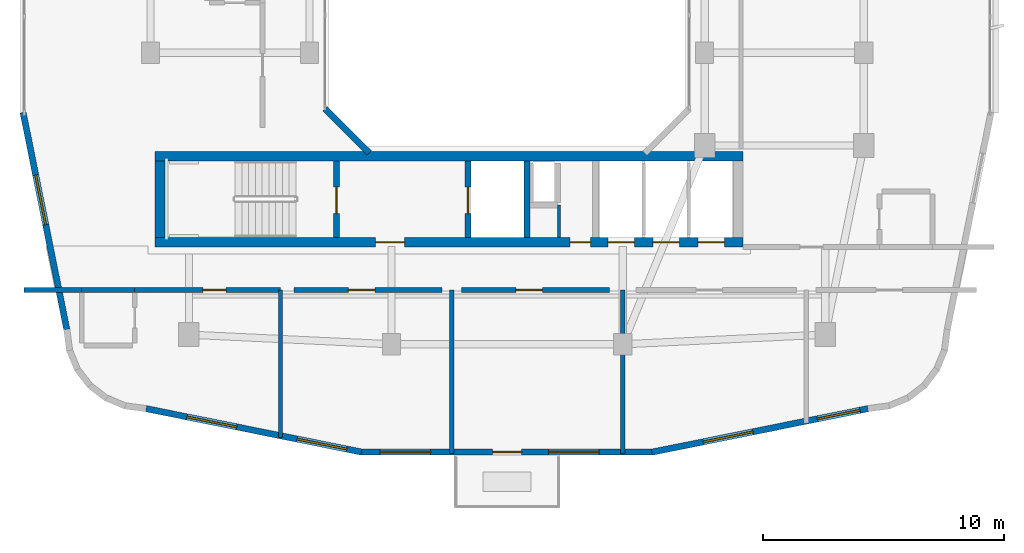
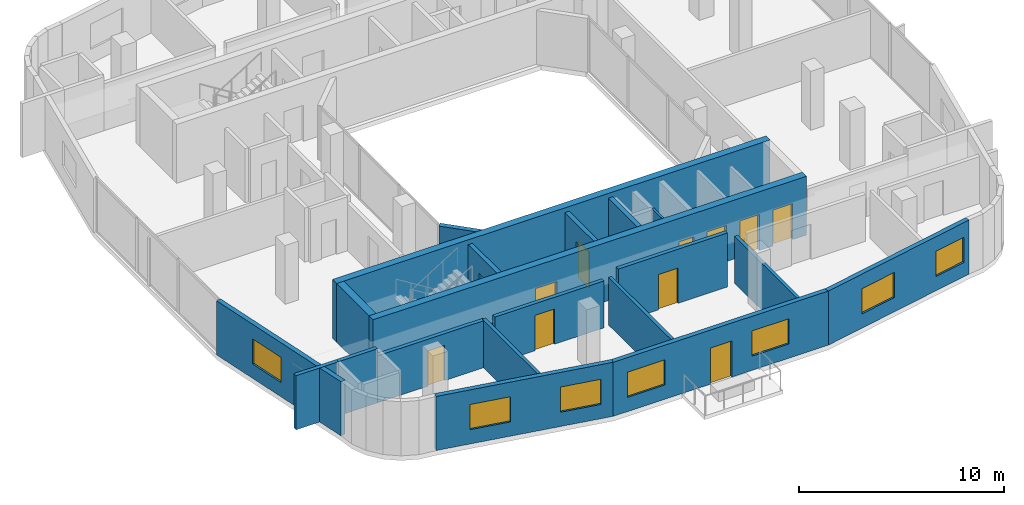
# One storey, part 5 of 12: 20 walls, 11 doors, 7 windows, 18 openings.
"""IFC4 building model written with IfcOpenShell, lengths in metres."""

from ifc_helpers import new_model, si_unit, derived_unit, direction, frame, frame_2d, origin, place, context, subcontext, project, spatial, rectangle, extrude, material, layer, layer_set, type_object, element, fill, save


model = new_model("IFC4")

# Units and contexts
model_context = context("Model", 3, precision=1e-05, world=origin(), true_north=direction((0.0, 1.0)))
body_context = subcontext(model_context, "Body", "Model", "MODEL_VIEW")
ifc_project = project(units=[si_unit("LENGTHUNIT", "METRE"), si_unit("AREAUNIT", "SQUARE_METRE"), si_unit("VOLUMEUNIT", "CUBIC_METRE"), si_unit("PLANEANGLEUNIT", "RADIAN"), si_unit("MASSUNIT", "GRAM", prefix="KILO"), derived_unit("THERMALTRANSMITTANCEUNIT", [(si_unit("POWERUNIT", "WATT"), 1), (si_unit("LENGTHUNIT", "METRE"), -2), (si_unit("THERMODYNAMICTEMPERATUREUNIT", "KELVIN"), -1)])], contexts=[model_context])

# Site, building, storey
site_placement = place(None, origin())
site = spatial("IfcSite", under=ifc_project, at=site_placement, CompositionType="ELEMENT")
building_placement = place(site_placement, origin())
building = spatial("IfcBuilding", under=site, at=building_placement, Name="Kivonza Crest Hotel", CompositionType="ELEMENT")
storey_placement = place(building_placement, frame((0.0, 0.0, 166.0)))
storey = spatial("IfcBuildingStorey", under=building, at=storey_placement, Name="L45", CompositionType="ELEMENT", Elevation=166.0)

# Walls
ifc_material_1 = material(Name="High-density acoustic masonry inter-tenancy wall", Category="masonry")
ifc_layer_1 = layer(ifc_material_1, 0.179931640625)
ifc_layer_set_1 = layer_set([ifc_layer_1], Name="High-density acoustic masonry inter-tenancy wall")
wall_type_1 = type_object("IfcWallType", Name="WL-ACOU-180", PredefinedType="SOLIDWALL", material=ifc_layer_set_1)
wall_1_placement = place(storey_placement, frame((11.60009765625, 5.533935546875, 0.0), z_axis=(0.0, 0.0, 1.0), x_axis=(0.0, 1.0, 0.0)))
element("IfcWall", 1, at=wall_1_placement, inside=storey, type_object=wall_type_1, Name="L45 interior partition WA-L45-T1S-DIV1", PredefinedType="SOLIDWALL", context=body_context, shape_type="SweptSolid", body=[
    extrude(rectangle(XDim=6.115966796875, YDim=0.179931640625, at=frame_2d((3.05810546875, 0.0))), origin(), (0.0, 0.0, 1.0), 2.8349609375),
])
wall_2_placement = place(storey_placement, frame((18.699951171875, 4.860107421875, 0.0), z_axis=(0.0, 0.0, 1.0), x_axis=(0.0, 1.0, 0.0)))
element("IfcWall", 2, at=wall_2_placement, inside=storey, type_object=wall_type_1, Name="L45 interior partition WA-L45-T1S-SPDIV1", PredefinedType="SOLIDWALL", context=body_context, shape_type="SweptSolid", body=[
    extrude(rectangle(XDim=6.789794921875, YDim=0.179931640625, at=frame_2d((3.39501953125, 0.0))), origin(), (0.0, 0.0, 1.0), 2.8349609375),
])
wall_3_placement = place(storey_placement, frame((25.800048828125, 4.860107421875, 0.0), z_axis=(0.0, 0.0, 1.0), x_axis=(0.0, 1.0, 0.0)))
element("IfcWall", 3, at=wall_3_placement, inside=storey, type_object=wall_type_1, Name="L45 interior partition WA-L45-T1S-DIV2", PredefinedType="SOLIDWALL", context=body_context, shape_type="SweptSolid", body=[
    extrude(rectangle(XDim=6.789794921875, YDim=0.179931640625, at=frame_2d((3.39501953125, 0.0))), origin(), (0.0, 0.0, 1.0), 2.794921875),
])
ifc_material_2 = material(Name="Autoclaved aerated concrete blockwork", Category="masonry")
ifc_layer_2 = layer(ifc_material_2, 0.219970703125)
ifc_layer_set_2 = layer_set([ifc_layer_2], Name="Autoclaved aerated concrete blockwork")
wall_type_2 = type_object("IfcWallType", Name="WL-ACOU-220", PredefinedType="SOLIDWALL", material=ifc_layer_set_2)
wall_4_placement = place(storey_placement, frame((0.9599609375, 11.64990234375, 0.0), z_axis=(0.0, 0.0, 1.0), x_axis=(1.0, 0.0, 0.0)))
element("IfcWall", 4, at=wall_4_placement, inside=storey, type_object=wall_type_2, Name="L45 interior partition WA-L45-S02-XCORR", PredefinedType="SOLIDWALL", context=body_context, shape_type="SweptSolid", body=[
    extrude(rectangle(XDim=2.39013671875, YDim=0.219970703125, at=frame_2d((1.195068359375, 0.0))), origin(), (0.0, 0.0, 1.0), 3.219970703125),
])
wall_5_placement = place(storey_placement, frame((3.35009765625, 11.64990234375, 0.0), z_axis=(0.0, 0.0, 1.0), x_axis=(1.0, 0.0, 0.0)))
element("IfcWall", 5, at=wall_5_placement, inside=storey, type_object=wall_type_2, Name="L45 interior partition WA-L45-S02-BCORR", PredefinedType="SOLIDWALL", context=body_context, shape_type="SweptSolid", body=[
    extrude(rectangle(XDim=2.199951171875, YDim=0.219970703125, at=frame_2d((1.10009765625, 0.0))), origin(), (0.0, 0.0, 1.0), 3.219970703125),
])

# Wall, opening, door
wall_6_placement = place(storey_placement, frame((5.550048828125, 11.64990234375, 0.0), z_axis=(0.0, 0.0, 1.0), x_axis=(1.0, 0.0, 0.0)))
wall_6 = element("IfcWall", 6, at=wall_6_placement, inside=storey, type_object=wall_type_2, Name="L45 interior partition WA-L45-S02-MCORR", PredefinedType="SOLIDWALL", context=body_context, shape_type="SweptSolid", body=[
    extrude(rectangle(XDim=6.050048828125, YDim=0.219970703125, at=frame_2d((3.02490234375, 0.0))), origin(), (0.0, 0.0, 1.0), 2.794921875),
])
opening_1_placement = place(wall_6_placement, frame((2.830078125, 0.0, 0.0)))
opening_1 = element("IfcOpeningElement", 7, at=opening_1_placement, cuts=wall_6, Name="Opening DU-60", PredefinedType="OPENING", context=body_context, shape_type="SweptSolid", body=[
    extrude(rectangle(XDim=0.949951171875, YDim=2.10009765625, at=frame_2d((0.47509765625, 1.050048828125))), frame((0.0, 0.1201171875, 0.0), z_axis=(0.0, -1.0, 0.0), x_axis=(1.0, 0.0, 0.0)), (0.0, 0.0, 1.0), 0.239990234375),
])
ifc_material_3 = material(Name="Hardwood timber oak", Category="wood")
door_type_1 = type_object("IfcDoorType", Name="DR-UNIT-950", OperationType="NOTDEFINED", PredefinedType="DOOR", material=ifc_material_3)
door_1_placement = place(opening_1_placement, frame((0.949951171875, 0.0, 0.0), z_axis=(0.0, 0.0, 1.0), x_axis=(-1.0, 0.0, 0.0)))
door_1 = element("IfcDoor", 8, at=door_1_placement, inside=storey, type_object=door_type_1, Name="L45 S02 guest unit entrance fire door", OperationType="SINGLE_SWING_RIGHT", OverallHeight=2.10009765625, OverallWidth=0.949951171875, PredefinedType="DOOR", context=body_context, shape_type="SweptSolid", body=[
    extrude(rectangle(XDim=0.949951171875, YDim=2.10009765625, at=frame_2d((0.47509765625, 1.050048828125))), frame((0.0, 0.02490234375, 0.0), z_axis=(0.0, -1.0, 0.0), x_axis=(1.0, 0.0, 0.0)), (0.0, 0.0, 1.0), 0.050048828125),
])
fill(opening_1, door_1)

wall_7_placement = place(storey_placement, frame((12.14990234375, 11.64990234375, 0.0), z_axis=(0.0, 0.0, 1.0), x_axis=(1.0, 0.0, 0.0)))
wall_7 = element("IfcWall", 9, at=wall_7_placement, inside=storey, type_object=wall_type_2, Name="L45 interior partition WA-L45-Z4-SKIT1A-N", PredefinedType="SOLIDWALL", context=body_context, shape_type="SweptSolid", body=[
    extrude(rectangle(XDim=6.150146484375, YDim=0.219970703125, at=frame_2d((3.0751953125, 0.0))), origin(), (0.0, 0.0, 1.0), 2.794921875),
])
opening_2_placement = place(wall_7_placement, frame((2.261962890625, 0.0, 0.0)))
opening_2 = element("IfcOpeningElement", 10, at=opening_2_placement, cuts=wall_7, Name="Opening DF-60M", PredefinedType="OPENING", context=body_context, shape_type="SweptSolid", body=[
    extrude(rectangle(XDim=1.10009765625, YDim=2.10009765625, at=frame_2d((0.550048828125, 1.050048828125))), frame((0.0, 0.1201171875, 0.0), z_axis=(0.0, -1.0, 0.0), x_axis=(1.0, 0.0, 0.0)), (0.0, 0.0, 1.0), 0.239990234375),
])
door_type_2 = type_object("IfcDoorType", Name="DR-FD60-1100", OperationType="NOTDEFINED", PredefinedType="DOOR", material=ifc_material_3)
door_2_placement = place(opening_2_placement, frame((1.10009765625, 0.0, 0.0), z_axis=(0.0, 0.0, 1.0), x_axis=(-1.0, 0.0, 0.0)))
door_2 = element("IfcDoor", 11, at=door_2_placement, inside=storey, type_object=door_type_2, Name="L45 Upper Zone Chef Demonstration Kitchen door", OperationType="SINGLE_SWING_RIGHT", OverallHeight=2.10009765625, OverallWidth=1.10009765625, PredefinedType="DOOR", context=body_context, shape_type="SweptSolid", body=[
    extrude(rectangle(XDim=1.10009765625, YDim=2.10009765625, at=frame_2d((0.550048828125, 1.050048828125))), frame((0.0, 0.02490234375, 0.0), z_axis=(0.0, -1.0, 0.0), x_axis=(1.0, 0.0, 0.0)), (0.0, 0.0, 1.0), 0.050048828125),
])
fill(opening_2, door_2)

wall_8_placement = place(storey_placement, frame((19.10009765625, 11.64990234375, 0.0), z_axis=(0.0, 0.0, 1.0), x_axis=(1.0, 0.0, 0.0)))
wall_8 = element("IfcWall", 12, at=wall_8_placement, inside=storey, type_object=wall_type_2, Name="L45 interior partition WA-L45-Z4-SKIT1B-N", PredefinedType="SOLIDWALL", context=body_context, shape_type="SweptSolid", body=[
    extrude(rectangle(XDim=6.14990234375, YDim=0.219970703125, at=frame_2d((3.074951171875, 0.0))), origin(), (0.0, 0.0, 1.0), 3.219970703125),
])
opening_3_placement = place(wall_8_placement, frame((2.262939453125, 0.0, 0.0)))
opening_3 = element("IfcOpeningElement", 13, at=opening_3_placement, cuts=wall_8, Name="Opening DF-60M", PredefinedType="OPENING", context=body_context, shape_type="SweptSolid", body=[
    extrude(rectangle(XDim=1.10009765625, YDim=2.10009765625, at=frame_2d((0.550048828125, 1.050048828125))), frame((0.0, 0.1201171875, 0.0), z_axis=(0.0, -1.0, 0.0), x_axis=(1.0, 0.0, 0.0)), (0.0, 0.0, 1.0), 0.239990234375),
])
door_3_placement = place(opening_3_placement, frame((1.10009765625, 0.0, 0.0), z_axis=(0.0, 0.0, 1.0), x_axis=(-1.0, 0.0, 0.0)))
door_3 = element("IfcDoor", 14, at=door_3_placement, inside=storey, type_object=door_type_2, Name="L45 Upper Zone Beverage Tasting Kitchen door", OperationType="SINGLE_SWING_LEFT", OverallHeight=2.10009765625, OverallWidth=1.10009765625, PredefinedType="DOOR", context=body_context, shape_type="SweptSolid", body=[
    extrude(rectangle(XDim=1.10009765625, YDim=2.10009765625, at=frame_2d((0.550048828125, 1.050048828125))), frame((0.0, 0.02490234375, 0.0), z_axis=(0.0, -1.0, 0.0), x_axis=(1.0, 0.0, 0.0)), (0.0, 0.0, 1.0), 0.050048828125),
])
fill(opening_3, door_3)

# Wall, openings, doors
ifc_material_4 = material(Name="Concrete C50/60", Category="concrete")
ifc_layer_3 = layer(ifc_material_4, 0.39990234375)
ifc_layer_set_3 = layer_set([ifc_layer_3], Name="Concrete C50/60")
wall_type_3 = type_object("IfcWallType", Name="WL-CORE-400", PredefinedType="SHEAR", material=ifc_layer_set_3)
wall_9_placement = place(storey_placement, frame((6.39990234375, 13.639892578125, 0.0), z_axis=(0.0, 0.0, 1.0), x_axis=(1.0, 0.0, 0.0)))
wall_9 = element("IfcWall", 15, at=wall_9_placement, inside=storey, type_object=wall_type_3, Name="Core wall T1-S South L45", PredefinedType="SHEAR", context=body_context, shape_type="SweptSolid", body=[
    extrude(rectangle(XDim=24.400146484375, YDim=0.39990234375, at=frame_2d((12.2001953125, 0.0))), origin(), (0.0, 0.0, 1.0), 3.5),
])
opening_4_placement = place(wall_9_placement, frame((9.14990234375, 0.0, 0.0)))
opening_4 = element("IfcOpeningElement", 16, at=opening_4_placement, cuts=wall_9, Name="Opening DF-60", PredefinedType="OPENING", context=body_context, shape_type="SweptSolid", body=[
    extrude(rectangle(XDim=1.199951171875, YDim=2.14990234375, at=frame_2d((0.60009765625, 1.074951171875))), frame((0.0, 0.2099609375, 0.0), z_axis=(0.0, -1.0, 0.0), x_axis=(1.0, 0.0, 0.0)), (0.0, 0.0, 1.0), 0.419921875),
])
opening_5_placement = place(wall_9_placement, frame((17.219970703125, 0.0, 0.0)))
opening_5 = element("IfcOpeningElement", 17, at=opening_5_placement, cuts=wall_9, Name="Opening DF-60R", PredefinedType="OPENING", context=body_context, shape_type="SweptSolid", body=[
    extrude(rectangle(XDim=0.85009765625, YDim=2.10009765625, at=frame_2d((0.425048828125, 1.050048828125))), frame((0.0, 0.2099609375, 0.0), z_axis=(0.0, -1.0, 0.0), x_axis=(1.0, 0.0, 0.0)), (0.0, 0.0, 1.0), 0.419921875),
])
opening_6_placement = place(wall_9_placement, frame((18.782958984375, 0.0, 0.0)))
opening_6 = element("IfcOpeningElement", 18, at=opening_6_placement, cuts=wall_9, Name="Opening LD-120", PredefinedType="OPENING", context=body_context, shape_type="SweptSolid", body=[
    extrude(rectangle(XDim=1.10009765625, YDim=2.14990234375, at=frame_2d((0.550048828125, 1.074951171875))), frame((0.0, 0.2099609375, 0.0), z_axis=(0.0, -1.0, 0.0), x_axis=(1.0, 0.0, 0.0)), (0.0, 0.0, 1.0), 0.419921875),
])
opening_7_placement = place(wall_9_placement, frame((20.64990234375, 0.0, 0.0)))
opening_7 = element("IfcOpeningElement", 19, at=opening_7_placement, cuts=wall_9, Name="Opening LD-120", PredefinedType="OPENING", context=body_context, shape_type="SweptSolid", body=[
    extrude(rectangle(XDim=1.10009765625, YDim=2.14990234375, at=frame_2d((0.550048828125, 1.074951171875))), frame((0.0, 0.2099609375, 0.0), z_axis=(0.0, -1.0, 0.0), x_axis=(1.0, 0.0, 0.0)), (0.0, 0.0, 1.0), 0.419921875),
])
opening_8_placement = place(wall_9_placement, frame((22.51708984375, 0.0, 0.0)))
opening_8 = element("IfcOpeningElement", 20, at=opening_8_placement, cuts=wall_9, Name="Opening LD-120", PredefinedType="OPENING", context=body_context, shape_type="SweptSolid", body=[
    extrude(rectangle(XDim=1.10009765625, YDim=2.14990234375, at=frame_2d((0.550048828125, 1.074951171875))), frame((0.0, 0.2099609375, 0.0), z_axis=(0.0, -1.0, 0.0), x_axis=(1.0, 0.0, 0.0)), (0.0, 0.0, 1.0), 0.419921875),
])
door_type_3 = type_object("IfcDoorType", Name="DR-FD60-1200", OperationType="NOTDEFINED", PredefinedType="DOOR", material=ifc_material_3)
door_4_placement = place(opening_4_placement, frame((1.199951171875, 0.0, 0.0), z_axis=(0.0, 0.0, 1.0), x_axis=(-1.0, 0.0, 0.0)))
door_4 = element("IfcDoor", 21, at=door_4_placement, inside=storey, type_object=door_type_3, Name="L45 T1-S firefighting lobby fire door", OperationType="SINGLE_SWING_LEFT", OverallHeight=2.14990234375, OverallWidth=1.199951171875, PredefinedType="DOOR", context=body_context, shape_type="SweptSolid", body=[
    extrude(rectangle(XDim=1.199951171875, YDim=2.14990234375, at=frame_2d((0.60009765625, 1.074951171875))), frame((0.0, 0.02490234375, 0.0), z_axis=(0.0, -1.0, 0.0), x_axis=(1.0, 0.0, 0.0)), (0.0, 0.0, 1.0), 0.050048828125),
])
fill(opening_4, door_4)
door_type_4 = type_object("IfcDoorType", Name="DR-FD60-850", OperationType="NOTDEFINED", PredefinedType="DOOR", material=ifc_material_3)
door_5_placement = place(opening_5_placement, frame((0.85009765625, 0.0, 0.0), z_axis=(0.0, 0.0, 1.0), x_axis=(-1.0, 0.0, 0.0)))
door_5 = element("IfcDoor", 22, at=door_5_placement, inside=storey, type_object=door_type_4, Name="L45 T1-S core room door", OperationType="SINGLE_SWING_RIGHT", OverallHeight=2.10009765625, OverallWidth=0.85009765625, PredefinedType="DOOR", context=body_context, shape_type="SweptSolid", body=[
    extrude(rectangle(XDim=0.85009765625, YDim=2.10009765625, at=frame_2d((0.425048828125, 1.050048828125))), frame((0.0, 0.02490234375, 0.0), z_axis=(0.0, -1.0, 0.0), x_axis=(1.0, 0.0, 0.0)), (0.0, 0.0, 1.0), 0.050048828125),
])
fill(opening_5, door_5)
ifc_material_5 = material(Name="Stainless steel", Category="steel")
door_type_5 = type_object("IfcDoorType", Name="DR-LD120-1100", OperationType="NOTDEFINED", PredefinedType="DOOR", material=ifc_material_5)
door_6_placement = place(opening_6_placement, frame((1.10009765625, 0.0, 0.0), z_axis=(0.0, 0.0, 1.0), x_axis=(-1.0, 0.0, 0.0)))
door_6 = element("IfcDoor", 23, at=door_6_placement, inside=storey, type_object=door_type_5, Name="L45 PL-T1-H1 passenger lift sliding landing door", OperationType="DOUBLE_DOOR_SLIDING", OverallHeight=2.14990234375, OverallWidth=1.10009765625, PredefinedType="DOOR", context=body_context, shape_type="SweptSolid", body=[
    extrude(rectangle(XDim=1.10009765625, YDim=2.14990234375, at=frame_2d((0.550048828125, 1.074951171875))), frame((0.0, 0.02490234375, 0.0), z_axis=(0.0, -1.0, 0.0), x_axis=(1.0, 0.0, 0.0)), (0.0, 0.0, 1.0), 0.050048828125),
])
fill(opening_6, door_6)
door_7_placement = place(opening_7_placement, frame((1.10009765625, 0.0, 0.0), z_axis=(0.0, 0.0, 1.0), x_axis=(-1.0, 0.0, 0.0)))
door_7 = element("IfcDoor", 24, at=door_7_placement, inside=storey, type_object=door_type_5, Name="L45 PL-T1-H2 passenger lift sliding landing door", OperationType="DOUBLE_DOOR_SLIDING", OverallHeight=2.14990234375, OverallWidth=1.10009765625, PredefinedType="DOOR", context=body_context, shape_type="SweptSolid", body=[
    extrude(rectangle(XDim=1.10009765625, YDim=2.14990234375, at=frame_2d((0.550048828125, 1.074951171875))), frame((0.0, 0.02490234375, 0.0), z_axis=(0.0, -1.0, 0.0), x_axis=(1.0, 0.0, 0.0)), (0.0, 0.0, 1.0), 0.050048828125),
])
fill(opening_7, door_7)
door_8_placement = place(opening_8_placement, frame((1.10009765625, 0.0, 0.0), z_axis=(0.0, 0.0, 1.0), x_axis=(-1.0, 0.0, 0.0)))
door_8 = element("IfcDoor", 25, at=door_8_placement, inside=storey, type_object=door_type_5, Name="L45 PL-T1-H3 passenger lift sliding landing door", OperationType="DOUBLE_DOOR_SLIDING", OverallHeight=2.14990234375, OverallWidth=1.10009765625, PredefinedType="DOOR", context=body_context, shape_type="SweptSolid", body=[
    extrude(rectangle(XDim=1.10009765625, YDim=2.14990234375, at=frame_2d((0.550048828125, 1.074951171875))), frame((0.0, 0.02490234375, 0.0), z_axis=(0.0, -1.0, 0.0), x_axis=(1.0, 0.0, 0.0)), (0.0, 0.0, 1.0), 0.050048828125),
])
fill(opening_8, door_8)

# Walls
wall_10_placement = place(storey_placement, frame((6.39990234375, 17.199951171875, 0.0), z_axis=(0.0, 0.0, 1.0), x_axis=(1.0, 0.0, 0.0)))
element("IfcWall", 26, at=wall_10_placement, inside=storey, type_object=wall_type_3, Name="Core wall T1-S North L45", PredefinedType="SHEAR", context=body_context, shape_type="SweptSolid", body=[
    extrude(rectangle(XDim=24.400146484375, YDim=0.39990234375, at=frame_2d((12.2001953125, 0.0))), origin(), (0.0, 0.0, 1.0), 3.5),
])
wall_11_placement = place(storey_placement, frame((6.60009765625, 13.840087890625, 0.0), z_axis=(0.0, 0.0, 1.0), x_axis=(0.0, 1.0, 0.0)))
element("IfcWall", 27, at=wall_11_placement, inside=storey, type_object=wall_type_3, Name="Core wall T1-S West L45", PredefinedType="SHEAR", context=body_context, shape_type="SweptSolid", body=[
    extrude(rectangle(XDim=3.159912109375, YDim=0.39990234375, at=frame_2d((1.580078125, 0.0))), origin(), (0.0, 0.0, 1.0), 3.5),
])

# Wall, openings, windows
ifc_material_6 = material(Name="Precast concrete C40/50", Category="concrete")
ifc_layer_4 = layer(ifc_material_6, 0.260009765625)
ifc_layer_set_4 = layer_set([ifc_layer_4], Name="Precast concrete C40/50")
wall_type_4 = type_object("IfcWallType", Name="WL-EXT-260", PredefinedType="STANDARD", material=ifc_layer_set_4)
wall_12_placement = place(storey_placement, frame((6.01806640625, 6.72900390625, 0.0), z_axis=(0.0, 0.0, 1.0), x_axis=(0.980317172899, -0.197429077186, 0.0)))
wall_12 = element("IfcWall", 28, at=wall_12_placement, inside=storey, type_object=wall_type_4, Name="L45 T1 exterior insulated wall 7", PredefinedType="STANDARD", context=body_context, shape_type="SweptSolid", body=[
    extrude(rectangle(XDim=9.117431640625, YDim=0.260009765625, at=frame_2d((4.55859375, 0.0))), origin(), (0.0, 0.0, 1.0), 3.219970703125),
])
opening_9_placement = place(wall_12_placement, frame((1.735107421875, 0.0, 0.85009765625)))
opening_9 = element("IfcOpeningElement", 29, at=opening_9_placement, cuts=wall_12, Name="Opening WN-04", PredefinedType="OPENING", context=body_context, shape_type="SweptSolid", body=[
    extrude(rectangle(XDim=2.10009765625, YDim=1.5, at=frame_2d((1.050048828125, 0.75))), frame((0.0, 0.14013671875, 0.0), z_axis=(0.0, -1.0, 0.0), x_axis=(1.0, 0.0, 0.0)), (0.0, 0.0, 1.0), 0.280029296875),
])
opening_10_placement = place(wall_12_placement, frame((6.39306640625, 0.0, 0.85009765625)))
opening_10 = element("IfcOpeningElement", 30, at=opening_10_placement, cuts=wall_12, Name="Opening WN-04", PredefinedType="OPENING", context=body_context, shape_type="SweptSolid", body=[
    extrude(rectangle(XDim=2.10009765625, YDim=1.5, at=frame_2d((1.050048828125, 0.75))), frame((0.0, 0.14013671875, 0.0), z_axis=(0.0, -1.0, 0.0), x_axis=(1.0, 0.0, 0.0)), (0.0, 0.0, 1.0), 0.280029296875),
])
ifc_material_7 = material(Name="Thermally broken bronze aluminium and low-E double glazing", Category="aluminium")
window_type_1 = type_object("IfcWindowType", Name="WN-210x150", PartitioningType="DOUBLE_PANEL_VERTICAL", PredefinedType="WINDOW", material=ifc_material_7)
window_1_placement = place(opening_9_placement, origin())
window_1 = element("IfcWindow", 31, at=window_1_placement, inside=storey, type_object=window_type_1, Name="L45 T1 facade window 7 bay 1", OverallHeight=1.5, OverallWidth=2.10009765625, PartitioningType="SINGLE_PANEL", PredefinedType="WINDOW", context=body_context, shape_type="SweptSolid", body=[
    extrude(rectangle(XDim=2.10009765625, YDim=1.5, at=frame_2d((1.050048828125, 0.75))), frame((0.0, 0.030029296875, 0.0), z_axis=(0.0, -1.0, 0.0), x_axis=(1.0, 0.0, 0.0)), (0.0, 0.0, 1.0), 0.06005859375),
])
fill(opening_9, window_1)
window_2_placement = place(opening_10_placement, origin())
window_2 = element("IfcWindow", 32, at=window_2_placement, inside=storey, type_object=window_type_1, Name="L45 T1 facade window 7 bay 2", OverallHeight=1.5, OverallWidth=2.10009765625, PartitioningType="SINGLE_PANEL", PredefinedType="WINDOW", context=body_context, shape_type="SweptSolid", body=[
    extrude(rectangle(XDim=2.10009765625, YDim=1.5, at=frame_2d((1.050048828125, 0.75))), frame((0.0, 0.030029296875, 0.0), z_axis=(0.0, -1.0, 0.0), x_axis=(1.0, 0.0, 0.0)), (0.0, 0.0, 1.0), 0.06005859375),
])
fill(opening_10, window_2)

# Wall, openings, door, windows
wall_13_placement = place(storey_placement, frame((14.9150390625, 4.929931640625, 0.0), z_axis=(0.0, 0.0, 1.0), x_axis=(1.0, 0.0, 0.0)))
wall_13 = element("IfcWall", 33, at=wall_13_placement, inside=storey, type_object=wall_type_4, Name="L45 T1 exterior insulated wall 8", PredefinedType="STANDARD", context=body_context, shape_type="SweptSolid", body=[
    extrude(rectangle(XDim=12.135009765625, YDim=0.260009765625, at=frame_2d((6.0673828125, 0.0))), origin(), (0.0, 0.0, 1.0), 3.219970703125),
])
opening_11_placement = place(wall_13_placement, frame((5.485107421875, 0.0, 0.0)))
opening_11 = element("IfcOpeningElement", 34, at=opening_11_placement, cuts=wall_13, Name="Opening DT-120", PredefinedType="OPENING", context=body_context, shape_type="SweptSolid", body=[
    extrude(rectangle(XDim=1.199951171875, YDim=2.14990234375, at=frame_2d((0.60009765625, 1.074951171875))), frame((0.0, 0.14013671875, 0.0), z_axis=(0.0, -1.0, 0.0), x_axis=(1.0, 0.0, 0.0)), (0.0, 0.0, 1.0), 0.280029296875),
])
opening_12_placement = place(wall_13_placement, frame((0.81298828125, 0.0, 0.85009765625)))
opening_12 = element("IfcOpeningElement", 35, at=opening_12_placement, cuts=wall_13, Name="Opening WN-04", PredefinedType="OPENING", context=body_context, shape_type="SweptSolid", body=[
    extrude(rectangle(XDim=2.10009765625, YDim=1.5, at=frame_2d((1.050048828125, 0.75))), frame((0.0, 0.14013671875, 0.0), z_axis=(0.0, -1.0, 0.0), x_axis=(1.0, 0.0, 0.0)), (0.0, 0.0, 1.0), 0.280029296875),
])
opening_13_placement = place(wall_13_placement, frame((7.81005859375, 0.0, 0.85009765625)))
opening_13 = element("IfcOpeningElement", 36, at=opening_13_placement, cuts=wall_13, Name="Opening WN-04", PredefinedType="OPENING", context=body_context, shape_type="SweptSolid", body=[
    extrude(rectangle(XDim=2.10009765625, YDim=1.5, at=frame_2d((1.050048828125, 0.75))), frame((0.0, 0.14013671875, 0.0), z_axis=(0.0, -1.0, 0.0), x_axis=(1.0, 0.0, 0.0)), (0.0, 0.0, 1.0), 0.280029296875),
])
ifc_material_8 = material(Name="Anodised bronze aluminium and laminated safety glass", Category="aluminium")
door_type_6 = type_object("IfcDoorType", Name="DR-TERR-1200", OperationType="NOTDEFINED", PredefinedType="DOOR", material=ifc_material_8)
door_9_placement = place(opening_11_placement, frame((1.199951171875, 0.0, 0.0), z_axis=(0.0, 0.0, 1.0), x_axis=(-1.0, 0.0, 0.0)))
door_9 = element("IfcDoor", 37, at=door_9_placement, inside=storey, type_object=door_type_6, Name="T1 L45 SW sky-garden bridge access door", OperationType="SINGLE_SWING_LEFT", OverallHeight=2.14990234375, OverallWidth=1.199951171875, PredefinedType="DOOR", context=body_context, shape_type="SweptSolid", body=[
    extrude(rectangle(XDim=1.199951171875, YDim=2.14990234375, at=frame_2d((0.60009765625, 1.074951171875))), frame((0.0, 0.02490234375, 0.0), z_axis=(0.0, -1.0, 0.0), x_axis=(1.0, 0.0, 0.0)), (0.0, 0.0, 1.0), 0.050048828125),
])
fill(opening_11, door_9)
window_3_placement = place(opening_12_placement, origin())
window_3 = element("IfcWindow", 38, at=window_3_placement, inside=storey, type_object=window_type_1, Name="L45 T1 facade window 8 bay 1", OverallHeight=1.5, OverallWidth=2.10009765625, PartitioningType="SINGLE_PANEL", PredefinedType="WINDOW", context=body_context, shape_type="SweptSolid", body=[
    extrude(rectangle(XDim=2.10009765625, YDim=1.5, at=frame_2d((1.050048828125, 0.75))), frame((0.0, 0.030029296875, 0.0), z_axis=(0.0, -1.0, 0.0), x_axis=(1.0, 0.0, 0.0)), (0.0, 0.0, 1.0), 0.06005859375),
])
fill(opening_12, window_3)
window_4_placement = place(opening_13_placement, origin())
window_4 = element("IfcWindow", 39, at=window_4_placement, inside=storey, type_object=window_type_1, Name="L45 T1 facade window 8 bay 2", OverallHeight=1.5, OverallWidth=2.10009765625, PartitioningType="SINGLE_PANEL", PredefinedType="WINDOW", context=body_context, shape_type="SweptSolid", body=[
    extrude(rectangle(XDim=2.10009765625, YDim=1.5, at=frame_2d((1.050048828125, 0.75))), frame((0.0, 0.030029296875, 0.0), z_axis=(0.0, -1.0, 0.0), x_axis=(1.0, 0.0, 0.0)), (0.0, 0.0, 1.0), 0.06005859375),
])
fill(opening_13, window_4)

# Wall, openings, windows
wall_14_placement = place(storey_placement, frame((27.009033203125, 4.922119140625, 0.0), z_axis=(0.0, 0.0, 1.0), x_axis=(0.980321298532, 0.197408590603, 0.0)))
wall_14 = element("IfcWall", 40, at=wall_14_placement, inside=storey, type_object=wall_type_4, Name="L45 T1 exterior insulated wall 9", PredefinedType="STANDARD", context=body_context, shape_type="SweptSolid", body=[
    extrude(rectangle(XDim=9.153076171875, YDim=0.260009765625, at=frame_2d((4.57666015625, 0.0))), origin(), (0.0, 0.0, 1.0), 3.219970703125),
])
opening_14_placement = place(wall_14_placement, frame((2.18310546875, 0.0, 0.85009765625)))
opening_14 = element("IfcOpeningElement", 41, at=opening_14_placement, cuts=wall_14, Name="Opening WN-04", PredefinedType="OPENING", context=body_context, shape_type="SweptSolid", body=[
    extrude(rectangle(XDim=2.10009765625, YDim=1.5, at=frame_2d((1.050048828125, 0.75))), frame((0.0, 0.14013671875, 0.0), z_axis=(0.0, -1.0, 0.0), x_axis=(1.0, 0.0, 0.0)), (0.0, 0.0, 1.0), 0.280029296875),
])
opening_15_placement = place(wall_14_placement, frame((7.009033203125, 0.0, 0.85009765625)))
opening_15 = element("IfcOpeningElement", 42, at=opening_15_placement, cuts=wall_14, Name="Opening WN-03", PredefinedType="OPENING", context=body_context, shape_type="SweptSolid", body=[
    extrude(rectangle(XDim=1.800048828125, YDim=1.5, at=frame_2d((0.89990234375, 0.75))), frame((0.0, 0.14013671875, 0.0), z_axis=(0.0, -1.0, 0.0), x_axis=(1.0, 0.0, 0.0)), (0.0, 0.0, 1.0), 0.280029296875),
])
window_type_2 = type_object("IfcWindowType", Name="WN-180x150", PartitioningType="DOUBLE_PANEL_VERTICAL", PredefinedType="WINDOW", material=ifc_material_7)
window_5_placement = place(opening_15_placement, origin())
window_5 = element("IfcWindow", 43, at=window_5_placement, inside=storey, type_object=window_type_2, Name="L45 T1 facade window 9 bay 2", OverallHeight=1.5, OverallWidth=1.800048828125, PartitioningType="SINGLE_PANEL", PredefinedType="WINDOW", context=body_context, shape_type="SweptSolid", body=[
    extrude(rectangle(XDim=1.800048828125, YDim=1.5, at=frame_2d((0.89990234375, 0.75))), frame((0.0, 0.030029296875, 0.0), z_axis=(0.0, -1.0, 0.0), x_axis=(1.0, 0.0, 0.0)), (0.0, 0.0, 1.0), 0.06005859375),
])
fill(opening_15, window_5)
window_6_placement = place(opening_14_placement, origin())
window_6 = element("IfcWindow", 44, at=window_6_placement, inside=storey, type_object=window_type_1, Name="L45 T1 facade window 9 bay 1", OverallHeight=1.5, OverallWidth=2.10009765625, PartitioningType="SINGLE_PANEL", PredefinedType="WINDOW", context=body_context, shape_type="SweptSolid", body=[
    extrude(rectangle(XDim=2.10009765625, YDim=1.5, at=frame_2d((1.050048828125, 0.75))), frame((0.0, 0.030029296875, 0.0), z_axis=(0.0, -1.0, 0.0), x_axis=(1.0, 0.0, 0.0)), (0.0, 0.0, 1.0), 0.06005859375),
])
fill(opening_14, window_6)

# Wall, opening, window
wall_15_placement = place(storey_placement, frame((0.916015625, 19.02001953125, 0.0), z_axis=(0.0, 0.0, 1.0), x_axis=(0.197435082048, -0.980315963543, 0.0)))
wall_15 = element("IfcWall", 45, at=wall_15_placement, inside=storey, type_object=wall_type_4, Name="L45 T1 exterior insulated wall 36", PredefinedType="STANDARD", context=body_context, shape_type="SweptSolid", body=[
    extrude(rectangle(XDim=9.1826171875, YDim=0.260009765625, at=frame_2d((4.59130859375, 0.0))), origin(), (0.0, 0.0, 1.0), 3.219970703125),
])
opening_16_placement = place(wall_15_placement, frame((2.64697265625, 0.0, 0.85009765625)))
opening_16 = element("IfcOpeningElement", 46, at=opening_16_placement, cuts=wall_15, Name="Opening WN-04", PredefinedType="OPENING", context=body_context, shape_type="SweptSolid", body=[
    extrude(rectangle(XDim=2.10009765625, YDim=1.5, at=frame_2d((1.050048828125, 0.75))), frame((0.0, 0.14013671875, 0.0), z_axis=(0.0, -1.0, 0.0), x_axis=(1.0, 0.0, 0.0)), (0.0, 0.0, 1.0), 0.280029296875),
])
window_7_placement = place(opening_16_placement, origin())
window_7 = element("IfcWindow", 47, at=window_7_placement, inside=storey, type_object=window_type_1, Name="L45 T1 facade window 36", OverallHeight=1.5, OverallWidth=2.10009765625, PartitioningType="SINGLE_PANEL", PredefinedType="WINDOW", context=body_context, shape_type="SweptSolid", body=[
    extrude(rectangle(XDim=2.10009765625, YDim=1.5, at=frame_2d((1.050048828125, 0.75))), frame((0.0, 0.030029296875, 0.0), z_axis=(0.0, -1.0, 0.0), x_axis=(1.0, 0.0, 0.0)), (0.0, 0.0, 1.0), 0.06005859375),
])
fill(opening_16, window_7)

# Walls
wall_16_placement = place(storey_placement, frame((13.444091796875, 19.172119140625, 0.0), z_axis=(0.0, 0.0, 1.0), x_axis=(0.707059717605, -0.707153841636, 0.0)))
element("IfcWall", 48, at=wall_16_placement, inside=storey, type_object=wall_type_4, Name="L45 T1 light-well exterior wall 8", PredefinedType="STANDARD", context=body_context, shape_type="SweptSolid", body=[
    extrude(rectangle(XDim=2.59375, YDim=0.260009765625, at=frame_2d((1.296875, 0.0))), origin(), (0.0, 0.0, 1.0), 3.219970703125),
])
ifc_material_9 = material(Name="Metal-stud gypsum board partition", Category="gypsum")
ifc_layer_5 = layer(ifc_material_9, 0.125)
ifc_layer_set_5 = layer_set([ifc_layer_5], Name="Metal-stud gypsum board partition")
wall_type_5 = type_object("IfcWallType", Name="WL-PART-125", PredefinedType="PARTITIONING", material=ifc_layer_set_5)
wall_17_placement = place(storey_placement, frame((23.159912109375, 13.840087890625, 0.0), z_axis=(0.0, 0.0, 1.0), x_axis=(0.0, 1.0, 0.0)))
element("IfcWall", 49, at=wall_17_placement, inside=storey, type_object=wall_type_5, Name="L45 interior partition WP-L45-T1-S-SV1V", PredefinedType="PARTITIONING", context=body_context, shape_type="SweptSolid", body=[
    extrude(rectangle(XDim=1.33984375, YDim=0.125, at=frame_2d((0.669921875, 0.0))), origin(), (0.0, 0.0, 1.0), 3.219970703125),
])

# Wall, opening, door
ifc_layer_6 = layer(ifc_material_4, 0.25)
ifc_layer_set_6 = layer_set([ifc_layer_6], Name="Concrete C50/60")
wall_type_6 = type_object("IfcWallType", Name="WL-SHAFT-250", PredefinedType="STANDARD", material=ifc_layer_set_6)
wall_18_placement = place(storey_placement, frame((13.925048828125, 13.840087890625, 0.0), z_axis=(0.0, 0.0, 1.0), x_axis=(0.0, 1.0, 0.0)))
wall_18 = element("IfcWall", 50, at=wall_18_placement, inside=storey, type_object=wall_type_6, Name="Core shaft wall T1-S STAIR L45", PredefinedType="STANDARD", context=body_context, shape_type="SweptSolid", body=[
    extrude(rectangle(XDim=3.159912109375, YDim=0.25, at=frame_2d((1.580078125, 0.0))), origin(), (0.0, 0.0, 1.0), 3.219970703125),
])
opening_17_placement = place(wall_18_placement, frame((0.97998046875, 0.0, 0.0)))
opening_17 = element("IfcOpeningElement", 51, at=opening_17_placement, cuts=wall_18, Name="Opening DF-120", PredefinedType="OPENING", context=body_context, shape_type="SweptSolid", body=[
    extrude(rectangle(XDim=1.10009765625, YDim=2.14990234375, at=frame_2d((0.550048828125, 1.074951171875))), frame((0.0, 0.135009765625, 0.0), z_axis=(0.0, -1.0, 0.0), x_axis=(1.0, 0.0, 0.0)), (0.0, 0.0, 1.0), 0.27001953125),
])
ifc_material_10 = material(Name="Galvanised steel", Category="steel")
door_type_7 = type_object("IfcDoorType", Name="DR-FD120-1100", OperationType="NOTDEFINED", PredefinedType="DOOR", material=ifc_material_10)
door_10_placement = place(opening_17_placement, frame((1.10009765625, 0.0, 0.0), z_axis=(0.0, 0.0, 1.0), x_axis=(-1.0, 0.0, 0.0)))
door_10 = element("IfcDoor", 52, at=door_10_placement, inside=storey, type_object=door_type_7, Name="L45 T1-S stair fire door", OperationType="SINGLE_SWING_RIGHT", OverallHeight=2.14990234375, OverallWidth=1.10009765625, PredefinedType="DOOR", context=body_context, shape_type="SweptSolid", body=[
    extrude(rectangle(XDim=1.10009765625, YDim=2.14990234375, at=frame_2d((0.550048828125, 1.074951171875))), frame((0.0, 0.02490234375, 0.0), z_axis=(0.0, -1.0, 0.0), x_axis=(1.0, 0.0, 0.0)), (0.0, 0.0, 1.0), 0.050048828125),
])
fill(opening_17, door_10)

wall_19_placement = place(storey_placement, frame((19.375, 13.840087890625, 0.0), z_axis=(0.0, 0.0, 1.0), x_axis=(0.0, 1.0, 0.0)))
wall_19 = element("IfcWall", 53, at=wall_19_placement, inside=storey, type_object=wall_type_6, Name="Core shaft wall T1-S FFL-W L45", PredefinedType="STANDARD", context=body_context, shape_type="SweptSolid", body=[
    extrude(rectangle(XDim=3.159912109375, YDim=0.25, at=frame_2d((1.580078125, 0.0))), origin(), (0.0, 0.0, 1.0), 3.219970703125),
])
opening_18_placement = place(wall_19_placement, frame((0.97998046875, 0.0, 0.0)))
opening_18 = element("IfcOpeningElement", 54, at=opening_18_placement, cuts=wall_19, Name="Opening LD-120", PredefinedType="OPENING", context=body_context, shape_type="SweptSolid", body=[
    extrude(rectangle(XDim=1.10009765625, YDim=2.14990234375, at=frame_2d((0.550048828125, 1.074951171875))), frame((0.0, 0.135009765625, 0.0), z_axis=(0.0, -1.0, 0.0), x_axis=(1.0, 0.0, 0.0)), (0.0, 0.0, 1.0), 0.27001953125),
])
door_11_placement = place(opening_18_placement, origin())
door_11 = element("IfcDoor", 55, at=door_11_placement, inside=storey, type_object=door_type_5, Name="L45 FFL-T1-S firefighting lift sliding landing door", OperationType="DOUBLE_DOOR_SLIDING", OverallHeight=2.14990234375, OverallWidth=1.10009765625, PredefinedType="DOOR", context=body_context, shape_type="SweptSolid", body=[
    extrude(rectangle(XDim=1.10009765625, YDim=2.14990234375, at=frame_2d((0.550048828125, 1.074951171875))), frame((0.0, 0.02490234375, 0.0), z_axis=(0.0, -1.0, 0.0), x_axis=(1.0, 0.0, 0.0)), (0.0, 0.0, 1.0), 0.050048828125),
])
fill(opening_18, door_11)

# Wall
wall_20_placement = place(storey_placement, frame((21.824951171875, 13.840087890625, 0.0), z_axis=(0.0, 0.0, 1.0), x_axis=(0.0, 1.0, 0.0)))
element("IfcWall", 56, at=wall_20_placement, inside=storey, type_object=wall_type_6, Name="Core shaft wall T1-S FFL-E L45", PredefinedType="STANDARD", context=body_context, shape_type="SweptSolid", body=[
    extrude(rectangle(XDim=3.159912109375, YDim=0.25, at=frame_2d((1.580078125, 0.0))), origin(), (0.0, 0.0, 1.0), 3.219970703125),
])

save(model, "model.ifc")
